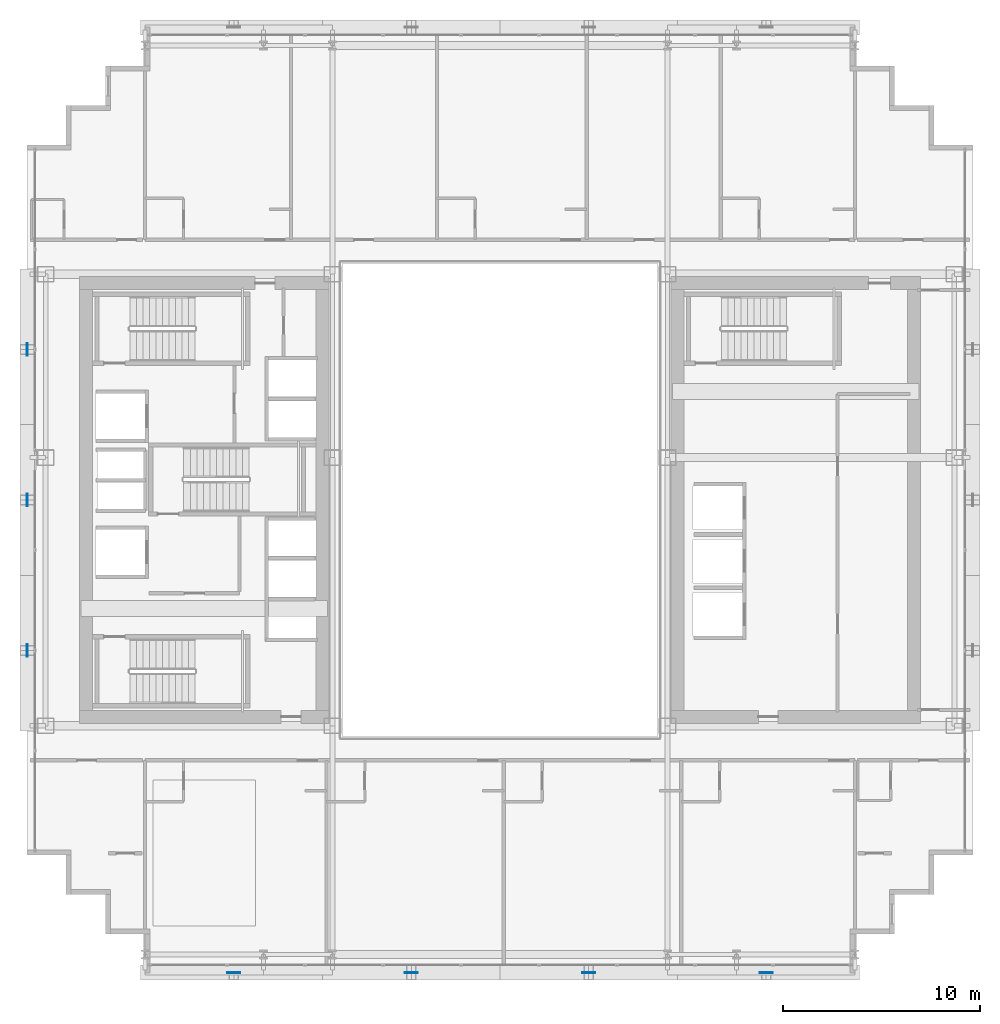
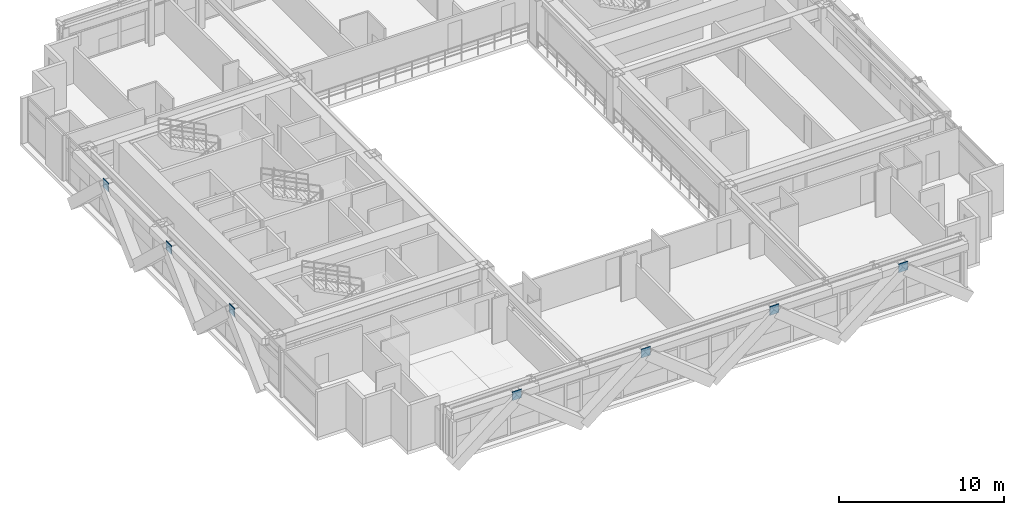
# One storey, part 25 of 34: 7 plates.
"""IFC4 building model written with IfcOpenShell, lengths in metres."""

from ifc_helpers import new_model, si_unit, direction, frame, origin, origin_2d, place, context, subcontext, project, spatial, rectangle, extrude, source, transform, mapped, material, layer, layer_set, type_object, element, save


model = new_model("IFC4")

# Units and contexts
model_context = context("Model", 3, precision=1e-05, world=origin(), true_north=direction((0.0, 1.0)))
body_context = subcontext(model_context, "Body", "Model", "MODEL_VIEW")
ifc_project = project(units=[si_unit("LENGTHUNIT", "METRE"), si_unit("AREAUNIT", "SQUARE_METRE"), si_unit("VOLUMEUNIT", "CUBIC_METRE"), si_unit("PLANEANGLEUNIT", "RADIAN"), si_unit("MASSUNIT", "GRAM", prefix="KILO")], contexts=[model_context])

# Site, building, storey
site_placement = place(None, origin())
site = spatial("IfcSite", under=ifc_project, at=site_placement, CompositionType="ELEMENT")
building_placement = place(site_placement, origin())
building = spatial("IfcBuilding", under=site, at=building_placement, Name="Ocotamira Hotel", CompositionType="ELEMENT")
storey_placement = place(building_placement, frame((0.0, 0.0, 111.60009765625)))
storey = spatial("IfcBuildingStorey", under=building, at=storey_placement, Name="L27", CompositionType="ELEMENT", Elevation=111.60009765625)

# Plates
ifc_material = material(Name="Pale-metal coated steel ASTM A572 Grade 50", Category="steel")
ifc_layer = layer(ifc_material, 0.0400390625)
ifc_layer_set = layer_set([ifc_layer], Name="Pale-metal coated steel ASTM A572 Grade 50")
plate_type = type_object("IfcPlateType", Name="PLT-GUSSET-40", PredefinedType="SHEET", material=ifc_layer_set)
shared_shape_1 = source(origin(), body_context, "Body", "SweptSolid", [
    extrude(rectangle(XDim=0.64990234375, YDim=0.0400390625, at=origin_2d()), origin(), (0.0, 0.0, 1.0), 0.64990234375),
])
for number, where, z_axis, x_axis, name in (
    (1, (18.5, 2.030029296875, 2.784912109375), (0.0, 0.0, 1.0), (1.0, 0.0, 0.0), "L27 Exoskeleton Diagrid S0.1 End Gusset B"),
    (2, (27.5, 2.030029296875, 2.784912109375), (0.0, 0.0, 1.0), (1.0, 0.0, 0.0), "L27 Exoskeleton Diagrid S1.1 End Gusset B"),
    (3, (36.5, 2.030029296875, 2.784912109375), (0.0, 0.0, 1.0), (1.0, 0.0, 0.0), "L27 Exoskeleton Diagrid S2.1 End Gusset B"),
    (4, (45.5, 2.030029296875, 2.784912109375), (0.0, 0.0, 1.0), (1.0, 0.0, 0.0), "L27 Exoskeleton Diagrid S3.1 End Gusset B"),
):
    element("IfcPlate", number, at=place(storey_placement, frame(where, z_axis=z_axis, x_axis=x_axis)), inside=storey, type_object=plate_type, Name=name, PredefinedType="SHEET", context=body_context, shape_type="MappedRepresentation", body=[
        mapped(shared_shape_1, transform((0.0, 0.0, 0.0), scale=1.0)),
    ])
shared_shape_2 = source(origin(), body_context, "Body", "SweptSolid", [
    extrude(rectangle(XDim=0.0400390625, YDim=0.64990234375, at=origin_2d()), origin(), (0.0, 0.0, 1.0), 0.64990234375),
])
for number, where, z_axis, x_axis, name in (
    (5, (8.030029296875, 18.36669921875, 2.784912109375), (0.0, 0.0, 1.0), (1.0, 0.0, 0.0), "L27 Exoskeleton Diagrid W0.1 End Gusset B"),
    (6, (8.030029296875, 26.0, 2.784912109375), (0.0, 0.0, 1.0), (1.0, 0.0, 0.0), "L27 Exoskeleton Diagrid W1.1 End Gusset B"),
    (7, (8.030029296875, 33.63330078125, 2.784912109375), (0.0, 0.0, 1.0), (1.0, 0.0, 0.0), "L27 Exoskeleton Diagrid W2.1 End Gusset B"),
):
    element("IfcPlate", number, at=place(storey_placement, frame(where, z_axis=z_axis, x_axis=x_axis)), inside=storey, type_object=plate_type, Name=name, PredefinedType="SHEET", context=body_context, shape_type="MappedRepresentation", body=[
        mapped(shared_shape_2, transform((0.0, 0.0, 0.0), scale=1.0)),
    ])

save(model, "model.ifc")
